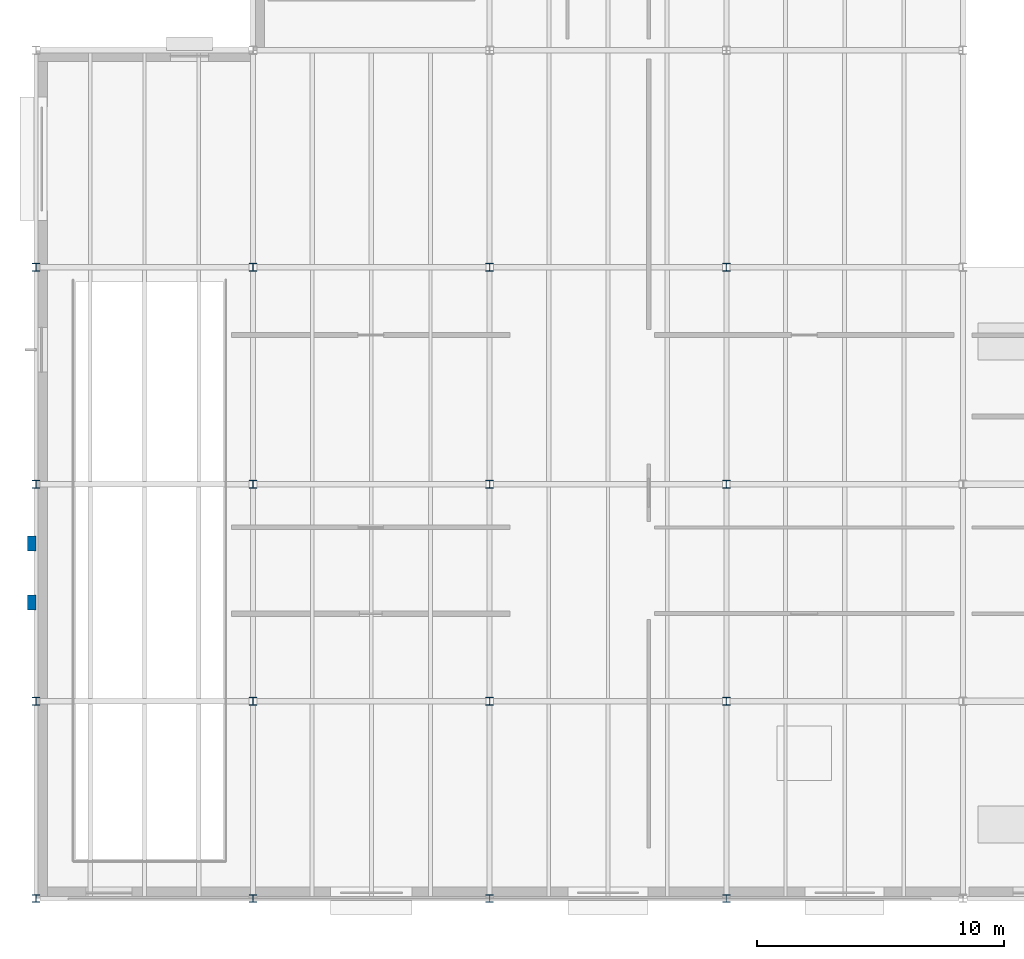
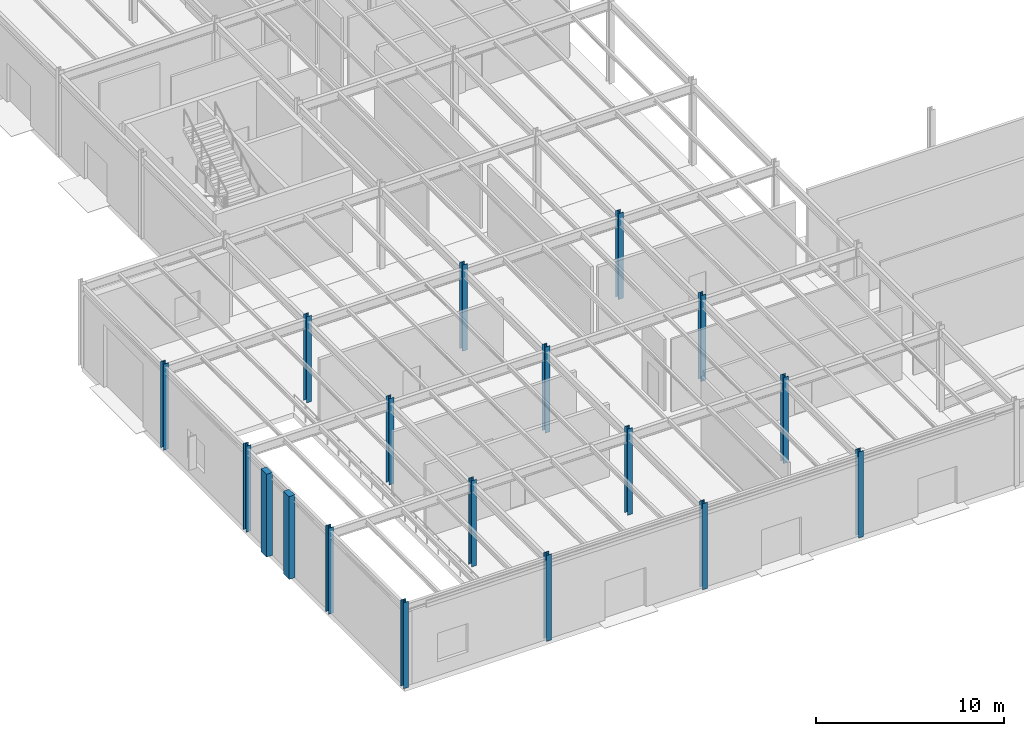
# One storey, part 1 of 70: 18 columns.
"""IFC4 building model written with IfcOpenShell, lengths in metres."""

from ifc_helpers import new_model, si_unit, direction, frame, origin, origin_2d, place, context, subcontext, project, spatial, rectangle, i_section, extrude, material, material_profile, profile_set, type_object, element, save


model = new_model("IFC4")

# Units and contexts
model_context = context("Model", 3, precision=1e-05, world=origin(), true_north=direction((0.0, 1.0)))
body_context = subcontext(model_context, "Body", "Model", "MODEL_VIEW")
ifc_project = project(units=[si_unit("LENGTHUNIT", "METRE"), si_unit("AREAUNIT", "SQUARE_METRE"), si_unit("VOLUMEUNIT", "CUBIC_METRE"), si_unit("PLANEANGLEUNIT", "RADIAN"), si_unit("MASSUNIT", "GRAM", prefix="KILO")], contexts=[model_context])

# Site, building, storey
site_placement = place(None, origin())
site = spatial("IfcSite", under=ifc_project, at=site_placement, CompositionType="ELEMENT")
building_placement = place(site_placement, origin())
building = spatial("IfcBuilding", under=site, at=building_placement, Name="Sarnbrook Museum", CompositionType="ELEMENT")
storey_placement = place(building_placement, origin())
storey = spatial("IfcBuildingStorey", under=building, at=storey_placement, Name="L00", CompositionType="ELEMENT", Elevation=0.0)

# Columns
ifc_material_1 = material(Name="Structural Steel Grade 300PLUS (AS/NZS 3679.1, fy = 280 MPa for 17 < t <= 40 mm, 300 MPa for t <= 17 mm)", Category="steel")
ifc_material_profile_1 = material_profile(ifc_material_1, i_section(OverallWidth=0.306884765625, OverallDepth=0.31494140625, WebThickness=0.011962890625, FlangeThickness=0.018798828125, FilletRadius=0.0166015625, at=origin_2d()), Name="310UC118")
ifc_profile_set_1 = profile_set([ifc_material_profile_1], Name="Structural Steel Grade 300PLUS (AS/NZS 3679.1, fy = 280 MPa for 17 < t <= 40 mm, 300 MPa for t <= 17 mm)")
column_type_1 = type_object("IfcColumnType", Name="COL-UC310", PredefinedType="COLUMN", material=ifc_profile_set_1)
for number, where, z_axis, x_axis, name in (
    (1, (4.800048828125, 4.800048828125, 0.0), (0.0, 0.0, 1.0), (1.0, 0.0, 0.0), "Column 1-A L00"),
    (2, (4.800048828125, 12.800048828125, 0.0), (0.0, 0.0, 1.0), (1.0, 0.0, 0.0), "Column 1-B L00"),
    (3, (4.800048828125, 21.60009765625, 0.0), (0.0, 0.0, 1.0), (1.0, 0.0, 0.0), "Column 1-C L00"),
    (4, (4.800048828125, 30.39990234375, 0.0), (0.0, 0.0, 1.0), (1.0, 0.0, 0.0), "Column 1-D L00"),
    (5, (13.60009765625, 4.800048828125, 0.0), (0.0, 0.0, 1.0), (1.0, 0.0, 0.0), "Column 2-A L00"),
    (6, (13.60009765625, 12.800048828125, 0.0), (0.0, 0.0, 1.0), (1.0, 0.0, 0.0), "Column 2-B L00"),
    (7, (13.60009765625, 21.60009765625, 0.0), (0.0, 0.0, 1.0), (1.0, 0.0, 0.0), "Column 2-C L00"),
    (8, (13.60009765625, 30.39990234375, 0.0), (0.0, 0.0, 1.0), (1.0, 0.0, 0.0), "Column 2-D L00"),
    (9, (23.199951171875, 4.800048828125, 0.0), (0.0, 0.0, 1.0), (1.0, 0.0, 0.0), "Column 3-A L00"),
    (10, (23.199951171875, 12.800048828125, 0.0), (0.0, 0.0, 1.0), (1.0, 0.0, 0.0), "Column 3-B L00"),
    (11, (23.199951171875, 21.60009765625, 0.0), (0.0, 0.0, 1.0), (1.0, 0.0, 0.0), "Column 3-C L00"),
    (12, (23.199951171875, 30.39990234375, 0.0), (0.0, 0.0, 1.0), (1.0, 0.0, 0.0), "Column 3-D L00"),
    (13, (32.800048828125, 4.800048828125, 0.0), (0.0, 0.0, 1.0), (1.0, 0.0, 0.0), "Column 4-A L00"),
    (14, (32.800048828125, 12.800048828125, 0.0), (0.0, 0.0, 1.0), (1.0, 0.0, 0.0), "Column 4-B L00"),
    (15, (32.800048828125, 21.60009765625, 0.0), (0.0, 0.0, 1.0), (1.0, 0.0, 0.0), "Column 4-C L00"),
    (16, (32.800048828125, 30.39990234375, 0.0), (0.0, 0.0, 1.0), (1.0, 0.0, 0.0), "Column 4-D L00"),
):
    element("IfcColumn", number, at=place(storey_placement, frame(where, z_axis=z_axis, x_axis=x_axis)), inside=storey, type_object=column_type_1, Name=name, PredefinedType="COLUMN", context=body_context, shape_type="SweptSolid", body=[
        extrude(i_section(OverallWidth=0.306884765625, OverallDepth=0.31494140625, WebThickness=0.011962890625, FlangeThickness=0.018798828125, FilletRadius=0.0166015625, at=origin_2d()), origin(), (0.0, 0.0, 1.0), 5.60009765625),
    ])
ifc_material_2 = material(Name="Concrete N40 (AS 3600, f'c = 40 MPa)", Category="concrete")
ifc_material_profile_2 = material_profile(ifc_material_2, rectangle(XDim=0.60009765625, YDim=0.35009765625, at=origin_2d()), Name="PILASTER 600x350")
ifc_profile_set_2 = profile_set([ifc_material_profile_2], Name="Concrete N40 (AS 3600, f'c = 40 MPa)")
column_type_2 = type_object("IfcColumnType", Name="PIL-600x350", PredefinedType="PILASTER", material=ifc_profile_set_2)
for number, where, z_axis, x_axis, name in (
    (17, (4.6201171875, 16.800048828125, 0.0), (0.0, 0.0, 1.0), (0.0, 1.0, 0.0), "Sandstone Classical Pilaster P-W1 L00"),
    (18, (4.6201171875, 19.199951171875, 0.0), (0.0, 0.0, 1.0), (0.0, 1.0, 0.0), "Sandstone Classical Pilaster P-W2 L00"),
):
    element("IfcColumn", number, at=place(storey_placement, frame(where, z_axis=z_axis, x_axis=x_axis)), inside=storey, type_object=column_type_2, Name=name, PredefinedType="PILASTER", context=body_context, shape_type="SweptSolid", body=[
        extrude(rectangle(XDim=0.60009765625, YDim=0.35009765625, at=origin_2d()), origin(), (0.0, 0.0, 1.0), 5.389892578125),
    ])

save(model, "model.ifc")
